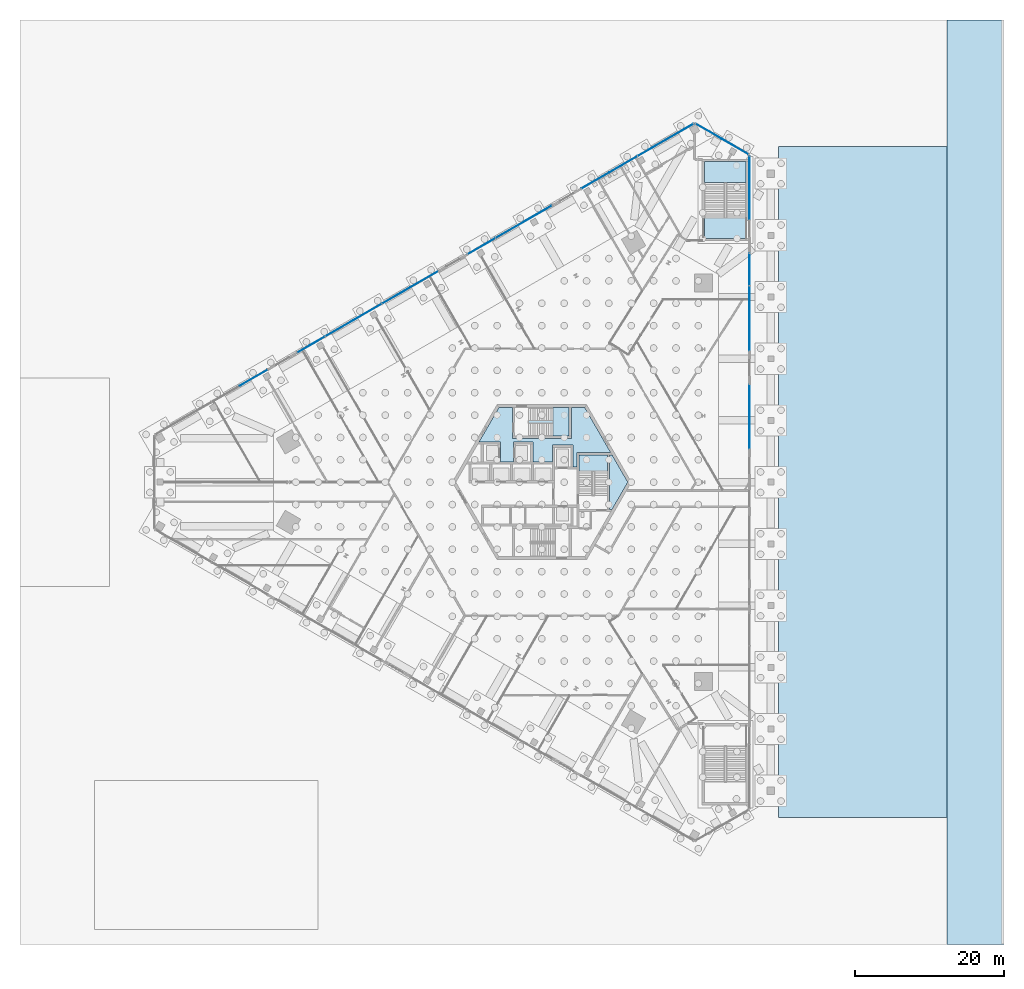
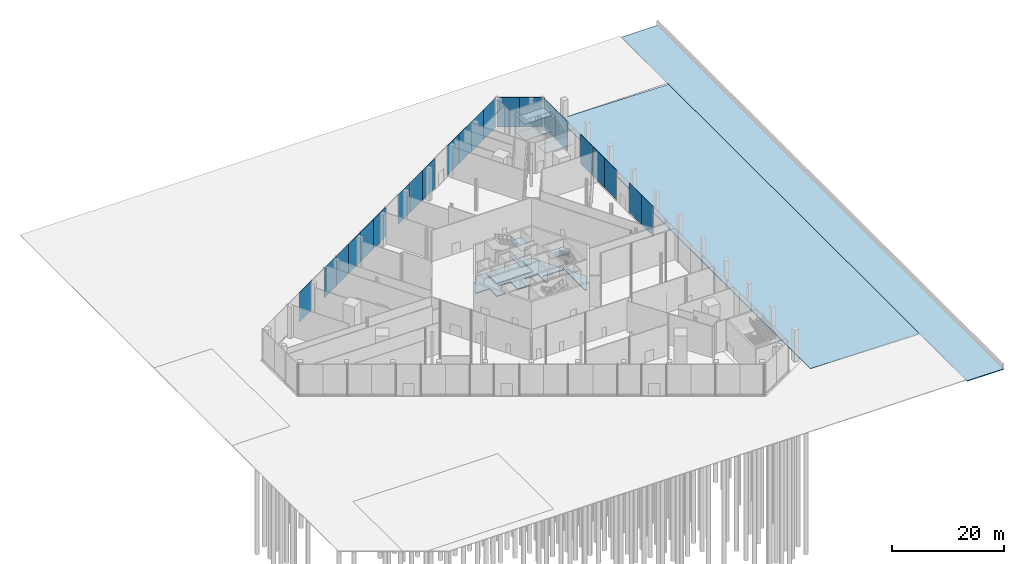
# One storey, part 15 of 27: 22 plates, 11 slabs, 11 elements without a shape of their own.
"""IFC4 building model written with IfcOpenShell, lengths in metres."""

from ifc_helpers import new_model, si_unit, direction, frame, origin, origin_2d, place, context, subcontext, project, spatial, polyline, rectangle, outline, extrude, source, transform, mapped, material, layer, layer_set, type_object, element, aggregate, save


model = new_model("IFC4")

# Units and contexts
model_context = context("Model", 3, precision=1e-05, world=origin(), true_north=direction((0.0, 1.0)))
body_context = subcontext(model_context, "Body", "Model", "MODEL_VIEW")
ifc_project = project(units=[si_unit("LENGTHUNIT", "METRE"), si_unit("AREAUNIT", "SQUARE_METRE"), si_unit("VOLUMEUNIT", "CUBIC_METRE"), si_unit("PLANEANGLEUNIT", "RADIAN"), si_unit("MASSUNIT", "GRAM", prefix="KILO")], contexts=[model_context])

# Site, building, storey
site_placement = place(None, origin())
site = spatial("IfcSite", under=ifc_project, at=site_placement, CompositionType="ELEMENT")
building_placement = place(site_placement, origin())
building = spatial("IfcBuilding", under=site, at=building_placement, Name="Triune Harvest Tower", CompositionType="ELEMENT")
storey_placement = place(building_placement, origin())
storey = spatial("IfcBuildingStorey", under=building, at=storey_placement, Name="L00", CompositionType="ELEMENT", Elevation=0.0)

# Slabs
ifc_material_1 = material(Name="Concrete 40 MPa", Category="concrete")
ifc_layer_1 = layer(ifc_material_1, 0.199951171875)
ifc_layer_set_1 = layer_set([ifc_layer_1], Name="Concrete 40 MPa")
slab_type_1 = type_object("IfcSlabType", Name="Core ground floor 200", PredefinedType="FLOOR", material=ifc_layer_set_1)
slab_1_placement = place(storey_placement, frame((0.0, 0.0, -0.199951171875)))
element("IfcSlab", 1, at=slab_1_placement, inside=storey, type_object=slab_type_1, Name="Core floor 9", PredefinedType="FLOOR", context=body_context, shape_type="SweptSolid", body=[
    extrude(outline(polyline([(9.10009765625, 3.64990234375), (9.4306640625, 3.64990234375), (11.5380859375, 0.0), (9.4306640625, -3.64990234375), (9.10009765625, -3.64990234375), (9.10009765625, 3.64990234375)])), origin(), (0.0, 0.0, 1.0), 0.199951171875),
])
slab_2_placement = place(storey_placement, frame((0.0, 0.0, -0.199951171875)))
element("IfcSlab", 2, at=slab_2_placement, inside=storey, type_object=slab_type_1, Name="Core floor 11", PredefinedType="FLOOR", context=body_context, shape_type="SweptSolid", body=[
    extrude(outline(polyline([(1.39990234375, 4.9599609375), (1.39990234375, 2.7099609375), (-1.199951171875, 2.7099609375), (-1.199951171875, 5.409912109375), (-3.800048828125, 5.409912109375), (-3.800048828125, 2.7099609375), (-5.550048828125, 2.7099609375), (-5.550048828125, 5.409912109375), (-8.41455078125, 5.409912109375), (-5.76904296875, 9.9921875), (-3.949951171875, 9.9921875), (-3.949951171875, 5.889892578125), (3.949951171875, 5.889892578125), (3.949951171875, 9.9921875), (5.76904296875, 9.9921875), (9.257568359375, 3.949951171875), (4.699951171875, 3.949951171875), (4.699951171875, 2.06005859375), (4.199951171875, 2.06005859375), (4.199951171875, 4.9599609375), (1.39990234375, 4.9599609375)])), origin(), (0.0, 0.0, 1.0), 0.199951171875),
])
slab_3_placement = place(storey_placement, frame((0.0, 0.0, -0.199951171875)))
element("IfcSlab", 3, at=slab_3_placement, inside=storey, type_object=slab_type_1, Name="Core floor 12", PredefinedType="FLOOR", context=body_context, shape_type="SweptSolid", body=[
    extrude(outline(polyline([(3.64990234375, 9.9921875), (3.64990234375, 6.18994140625), (-3.64990234375, 6.18994140625), (-3.64990234375, 9.9921875), (3.64990234375, 9.9921875)])), origin(), (0.0, 0.0, 1.0), 0.199951171875),
])
ifc_material_2 = material(Name="Stone paving", Category="masonry")
ifc_layer_2 = layer(ifc_material_2, 0.14990234375)
ifc_layer_set_2 = layer_set([ifc_layer_2], Name="Stone paving")
slab_type_2 = type_object("IfcSlabType", Name="PV-1 paving 150", PredefinedType="USERDEFINED", material=ifc_layer_set_2)
slab_4_placement = place(storey_placement, frame((0.0, 0.0, -0.449951171875)))
element("IfcSlab", 4, at=slab_4_placement, inside=storey, type_object=slab_type_2, Name="Paving promenade 1", ObjectType="PAVING", PredefinedType="USERDEFINED", context=body_context, shape_type="SweptSolid", body=[
    extrude(outline(polyline([(54.3798828125, -62.0), (62.0, -62.0), (62.0, 62.0), (54.3798828125, 62.0), (54.3798828125, -62.0)])), origin(), (0.0, 0.0, 1.0), 0.14990234375),
])
slab_5_placement = place(storey_placement, frame((31.75439453125, -45.0, 0.0), z_axis=(0.013260374464, 0.0, 0.999912077369), x_axis=(0.999912077369, 0.0, -0.013260374464)))
element("IfcSlab", 5, at=slab_5_placement, inside=storey, type_object=slab_type_2, Name="Paving plaza 1", ObjectType="PAVING", PredefinedType="USERDEFINED", context=body_context, shape_type="SweptSolid", body=[
    extrude(outline(polyline([(0.0, 0.0), (22.62747774861883, 0.0), (22.62747774861883, 90.0), (0.0, 90.0), (0.0, 0.0)])), origin(), (0.0, 0.0, -1.0), 0.14990234375),
])

# Stair, slabs
ifc_material_3 = material(Name="Concrete 40 MPa", Category="concrete")
stair_type_1 = type_object("IfcStairType", Name="Exit stair 1800 double return", PredefinedType="DOUBLE_RETURN_STAIR", material=ifc_material_3)
stair_1_placement = place(storey_placement, origin())
stair_1 = element("IfcStair", 6, at=stair_1_placement, inside=storey, type_object=stair_type_1, Name="Exit stair north", PredefinedType="DOUBLE_RETURN_STAIR")
ifc_material_4 = material(Name="Concrete 40 MPa", Category="concrete")
ifc_layer_3 = layer(ifc_material_4, 0.199951171875)
ifc_layer_set_3 = layer_set([ifc_layer_3], Name="Concrete 40 MPa")
slab_type_3 = type_object("IfcSlabType", Name="Stair landing 200", PredefinedType="LANDING", material=ifc_layer_set_3)
shared_shape_1 = source(origin(), body_context, "Body", "SweptSolid", [
    extrude(outline(polyline([(1.510009765625, 6.18994140625), (3.64990234375, 6.18994140625), (3.64990234375, 9.989990234375), (1.510009765625, 9.989990234375), (1.510009765625, 6.18994140625)])), origin(), (0.0, 0.0, 1.0), 0.199951171875),
])
slab_6_placement = place(storey_placement, frame((0.0, 0.0, 1.550048828125)))
slab_6 = element("IfcSlab", 7, at=slab_6_placement, type_object=slab_type_3, Name="ST-1 landing 1", PredefinedType="LANDING", context=body_context, shape_type="MappedRepresentation", body=[
    mapped(shared_shape_1, transform((0.0, 0.0, 0.0), scale=1.0)),
])
slab_7_placement = place(storey_placement, frame((0.0, 0.0, 5.050048828125)))
slab_7 = element("IfcSlab", 8, at=slab_7_placement, type_object=slab_type_3, Name="ST-1 landing 3", PredefinedType="LANDING", context=body_context, shape_type="MappedRepresentation", body=[
    mapped(shared_shape_1, transform((0.0, 0.0, 0.0), scale=1.0)),
])
aggregate(stair_1, [slab_6, slab_7])

# Stair, slab
stair_2_placement = place(storey_placement, origin())
stair_2 = element("IfcStair", 9, at=stair_2_placement, inside=storey, type_object=stair_type_1, Name="Exit stair east", PredefinedType="DOUBLE_RETURN_STAIR")
shared_shape_2 = source(origin(), body_context, "Body", "SweptSolid", [
    extrude(outline(polyline([(8.800048828125, 1.510009765625), (8.800048828125, 3.64990234375), (5.0, 3.64990234375), (5.0, 1.510009765625), (8.800048828125, 1.510009765625)])), origin(), (0.0, 0.0, 1.0), 0.199951171875),
])
slab_8_placement = place(storey_placement, frame((0.0, 0.0, 5.050048828125)))
slab_8 = element("IfcSlab", 10, at=slab_8_placement, type_object=slab_type_3, Name="ST-3 landing 3", PredefinedType="LANDING", context=body_context, shape_type="MappedRepresentation", body=[
    mapped(shared_shape_2, transform((0.0, 0.0, 0.0), scale=1.0)),
])
aggregate(stair_2, [slab_8])

# Stair, slabs
ifc_material_5 = material(Name="Concrete 40 MPa", Category="concrete")
stair_type_2 = type_object("IfcStairType", Name="Podium exit stair 2700 double return", PredefinedType="DOUBLE_RETURN_STAIR", material=ifc_material_5)
stair_3_placement = place(storey_placement, origin())
stair_3 = element("IfcStair", 11, at=stair_3_placement, inside=storey, type_object=stair_type_2, Name="Podium exit stair north", PredefinedType="DOUBLE_RETURN_STAIR")
shared_shape_3 = source(origin(), body_context, "Body", "SweptSolid", [
    extrude(outline(polyline([(27.419921875, 40.199951171875), (27.419921875, 43.0), (21.820068359375, 43.0), (21.820068359375, 40.199951171875), (27.419921875, 40.199951171875)])), origin(), (0.0, 0.0, 1.0), 0.199951171875),
])
slab_9_placement = place(storey_placement, frame((0.0, 0.0, 1.550048828125)))
slab_9 = element("IfcSlab", 12, at=slab_9_placement, type_object=slab_type_3, Name="PS-1 landing 1", PredefinedType="LANDING", context=body_context, shape_type="MappedRepresentation", body=[
    mapped(shared_shape_3, transform((0.0, 0.0, 0.0), scale=1.0)),
])
slab_10_placement = place(storey_placement, frame((0.0, 0.0, 5.050048828125)))
slab_10 = element("IfcSlab", 13, at=slab_10_placement, type_object=slab_type_3, Name="PS-1 landing 3", PredefinedType="LANDING", context=body_context, shape_type="MappedRepresentation", body=[
    mapped(shared_shape_3, transform((0.0, 0.0, 0.0), scale=1.0)),
])
shared_shape_4 = source(origin(), body_context, "Body", "SweptSolid", [
    extrude(outline(polyline([(27.419921875, 32.699951171875), (27.419921875, 35.409912109375), (21.820068359375, 35.409912109375), (21.820068359375, 32.699951171875), (27.419921875, 32.699951171875)])), origin(), (0.0, 0.0, 1.0), 0.199951171875),
])
slab_11_placement = place(storey_placement, frame((0.0, 0.0, 3.300048828125)))
slab_11 = element("IfcSlab", 14, at=slab_11_placement, type_object=slab_type_3, Name="PS-1 landing 2", PredefinedType="LANDING", context=body_context, shape_type="MappedRepresentation", body=[
    mapped(shared_shape_4, transform((0.0, 0.0, 0.0), scale=1.0)),
])
aggregate(stair_3, [slab_9, slab_11, slab_10])

# Curtain wall, plate
ifc_material_6 = material(Name="Aluminium bronze anodised", Category="aluminium")
curtain_wall_type = type_object("IfcCurtainWallType", Name="CW-2 Podium shopfront wall", PredefinedType="NOTDEFINED", material=ifc_material_6)
curtain_wall_1_placement = place(storey_placement, origin())
curtain_wall_1 = element("IfcCurtainWall", 15, at=curtain_wall_1_placement, inside=storey, type_object=curtain_wall_type, Name="CW-2 PD-F1 L00 run 5")
ifc_material_7 = material(Name="Glass", Category="glass")
ifc_layer_4 = layer(ifc_material_7, 0.0400390625)
ifc_layer_set_4 = layer_set([ifc_layer_4], Name="Glass")
plate_type = type_object("IfcPlateType", Name="GL-2 panel 40", PredefinedType="CURTAIN_PANEL", material=ifc_layer_set_4)
shared_shape_5 = source(origin(), body_context, "Body", "SweptSolid", [
    extrude(rectangle(XDim=4.255615234375, YDim=0.0400390625, at=origin_2d()), origin(), (0.0, 0.0, 1.0), 6.5),
])
plate_1_placement = place(storey_placement, frame((27.854248046875, 28.515869140625, 0.300048828125), z_axis=(0.0, 0.0, 1.0), x_axis=(0.0, 1.0, 0.0)))
plate_1 = element("IfcPlate", 16, at=plate_1_placement, type_object=plate_type, Name="CW-2 panel PD-F1 5.3", PredefinedType="CURTAIN_PANEL", context=body_context, shape_type="MappedRepresentation", body=[
    mapped(shared_shape_5, transform((0.0, 0.0, 0.0), scale=1.0)),
])

# Curtain wall, plates
curtain_wall_2_placement = place(storey_placement, origin())
curtain_wall_2 = element("IfcCurtainWall", 17, at=curtain_wall_2_placement, inside=storey, type_object=curtain_wall_type, Name="CW-2 PD-F1 L00 run 6")
plate_2_placement = place(storey_placement, frame((27.854248046875, 37.342041015625, 0.300048828125), z_axis=(0.0, 0.0, 1.0), x_axis=(0.0, 1.0, 0.0)))
plate_2 = element("IfcPlate", 18, at=plate_2_placement, type_object=plate_type, Name="CW-2 panel PD-F1 6.1", PredefinedType="CURTAIN_PANEL", context=body_context, shape_type="MappedRepresentation", body=[
    mapped(shared_shape_5, transform((0.0, 0.0, 0.0), scale=1.0)),
])
plate_3_placement = place(storey_placement, frame((27.854248046875, 41.597412109375, 0.300048828125), z_axis=(0.0, 0.0, 1.0), x_axis=(0.0, 1.0, 0.0)))
plate_3 = element("IfcPlate", 19, at=plate_3_placement, type_object=plate_type, Name="CW-2 panel PD-F1 6.2", PredefinedType="CURTAIN_PANEL", context=body_context, shape_type="MappedRepresentation", body=[
    mapped(shared_shape_5, transform((0.0, 0.0, 0.0), scale=1.0)),
])
aggregate(curtain_wall_2, [plate_2, plate_3])

curtain_wall_3_placement = place(storey_placement, origin())
curtain_wall_3 = element("IfcCurtainWall", 20, at=curtain_wall_3_placement, inside=storey, type_object=curtain_wall_type, Name="CW-2 PD-F1 L00 run 4")
shared_shape_6 = source(origin(), body_context, "Body", "SweptSolid", [
    extrude(rectangle(XDim=4.300537109375, YDim=0.0400390625, at=origin_2d()), origin(), (0.0, 0.0, 1.0), 6.5),
])
plate_4_placement = place(storey_placement, frame((27.854248046875, 6.630859375, 0.300048828125), z_axis=(0.0, 0.0, 1.0), x_axis=(0.0, 1.0, 0.0)))
plate_4 = element("IfcPlate", 21, at=plate_4_placement, type_object=plate_type, Name="CW-2 panel PD-F1 4.1", PredefinedType="CURTAIN_PANEL", context=body_context, shape_type="MappedRepresentation", body=[
    mapped(shared_shape_6, transform((0.0, 0.0, 0.0), scale=1.0)),
])
plate_5_placement = place(storey_placement, frame((27.854248046875, 10.931396484375, 0.300048828125), z_axis=(0.0, 0.0, 1.0), x_axis=(0.0, 1.0, 0.0)))
plate_5 = element("IfcPlate", 22, at=plate_5_placement, type_object=plate_type, Name="CW-2 panel PD-F1 4.2", PredefinedType="CURTAIN_PANEL", context=body_context, shape_type="MappedRepresentation", body=[
    mapped(shared_shape_6, transform((0.0, 0.0, 0.0), scale=1.0)),
])
aggregate(curtain_wall_3, [plate_4, plate_5])

# Plate
plate_6_placement = place(storey_placement, frame((27.854248046875, 19.80224609375, 0.300048828125), z_axis=(0.0, 0.0, 1.0), x_axis=(0.0, 1.0, 0.0)))
plate_6 = element("IfcPlate", 23, at=plate_6_placement, type_object=plate_type, Name="CW-2 panel PD-F1 5.1", PredefinedType="CURTAIN_PANEL", context=body_context, shape_type="MappedRepresentation", body=[
    mapped(shared_shape_6, transform((0.0, 0.0, 0.0), scale=1.0)),
])

shared_shape_7 = source(origin(), body_context, "Body", "SweptSolid", [
    extrude(rectangle(XDim=4.345458984375, YDim=0.0400390625, at=origin_2d()), origin(), (0.0, 0.0, 1.0), 6.5),
])
plate_7_placement = place(storey_placement, frame((27.854248046875, 24.125244140625, 0.300048828125), z_axis=(0.0, 0.0, 1.0), x_axis=(0.0, 1.0, 0.0)))
plate_7 = element("IfcPlate", 24, at=plate_7_placement, type_object=plate_type, Name="CW-2 panel PD-F1 5.2", PredefinedType="CURTAIN_PANEL", context=body_context, shape_type="MappedRepresentation", body=[
    mapped(shared_shape_7, transform((0.0, 0.0, 0.0), scale=1.0)),
])

aggregate(curtain_wall_1, [plate_6, plate_7, plate_1])

# Curtain wall, plates
curtain_wall_4_placement = place(storey_placement, origin())
curtain_wall_4 = element("IfcCurtainWall", 25, at=curtain_wall_4_placement, inside=storey, type_object=curtain_wall_type, Name="CW-2 PD-F2 L00 run 1")
shared_shape_8 = source(origin(), body_context, "Body", "SweptSolid", [
    extrude(rectangle(XDim=4.068359375, YDim=0.0400390625, at=origin_2d()), origin(), (0.0, 0.0, 1.0), 6.5),
])
plate_8_placement = place(storey_placement, frame((25.936767578125, 45.01220703125, 0.300048828125), z_axis=(0.0, 0.0, 1.0), x_axis=(-0.86602409002, 0.5000022755, 0.0)))
plate_8 = element("IfcPlate", 26, at=plate_8_placement, type_object=plate_type, Name="CW-2 panel PD-F2 1.1", PredefinedType="CURTAIN_PANEL", context=body_context, shape_type="MappedRepresentation", body=[
    mapped(shared_shape_8, transform((0.0, 0.0, 0.0), scale=1.0)),
])
plate_9_placement = place(storey_placement, frame((22.413330078125, 47.04638671875, 0.300048828125), z_axis=(0.0, 0.0, 1.0), x_axis=(-0.86602409002, 0.5000022755, 0.0)))
plate_9 = element("IfcPlate", 27, at=plate_9_placement, type_object=plate_type, Name="CW-2 panel PD-F2 1.2", PredefinedType="CURTAIN_PANEL", context=body_context, shape_type="MappedRepresentation", body=[
    mapped(shared_shape_8, transform((0.0, 0.0, 0.0), scale=1.0)),
])
aggregate(curtain_wall_4, [plate_8, plate_9])

curtain_wall_5_placement = place(storey_placement, origin())
curtain_wall_5 = element("IfcCurtainWall", 28, at=curtain_wall_5_placement, inside=storey, type_object=curtain_wall_type, Name="CW-2 PD-F3 L00 run 1")
shared_shape_9 = source(origin(), body_context, "Body", "SweptSolid", [
    extrude(rectangle(XDim=4.290283203125, YDim=0.0400390625, at=origin_2d()), origin(), (0.0, 0.0, 1.0), 6.5),
])
plate_10_placement = place(storey_placement, frame((18.482177734375, 46.990966796875, 0.300048828125), z_axis=(0.0, 0.0, 1.0), x_axis=(-0.866025276122, -0.500000221117, 0.0)))
plate_10 = element("IfcPlate", 29, at=plate_10_placement, type_object=plate_type, Name="CW-2 panel PD-F3 1.1", PredefinedType="CURTAIN_PANEL", context=body_context, shape_type="MappedRepresentation", body=[
    mapped(shared_shape_9, transform((0.0, 0.0, 0.0), scale=1.0)),
])
plate_11_placement = place(storey_placement, frame((7.1796875, 40.465576171875, 0.300048828125), z_axis=(0.0, 0.0, 1.0), x_axis=(-0.866025276122, -0.500000221117, 0.0)))
plate_11 = element("IfcPlate", 30, at=plate_11_placement, type_object=plate_type, Name="CW-2 panel PD-F3 1.4", PredefinedType="CURTAIN_PANEL", context=body_context, shape_type="MappedRepresentation", body=[
    mapped(shared_shape_9, transform((0.0, 0.0, 0.0), scale=1.0)),
])

# Curtain wall, plate
curtain_wall_6_placement = place(storey_placement, origin())
curtain_wall_6 = element("IfcCurtainWall", 31, at=curtain_wall_6_placement, inside=storey, type_object=curtain_wall_type, Name="CW-2 PD-F3 L00 run 4")
plate_12_placement = place(storey_placement, frame((-38.634033203125, 14.014892578125, 0.300048828125), z_axis=(0.0, 0.0, 1.0), x_axis=(-0.866025276122, -0.500000221117, 0.0)))
plate_12 = element("IfcPlate", 32, at=plate_12_placement, type_object=plate_type, Name="CW-2 panel PD-F3 4.1", PredefinedType="CURTAIN_PANEL", context=body_context, shape_type="MappedRepresentation", body=[
    mapped(shared_shape_9, transform((0.0, 0.0, 0.0), scale=1.0)),
])
aggregate(curtain_wall_6, [plate_12])

# Plate
shared_shape_10 = source(origin(), body_context, "Body", "SweptSolid", [
    extrude(rectangle(XDim=4.335205078125, YDim=0.0400390625, at=origin_2d()), origin(), (0.0, 0.0, 1.0), 6.5),
])
plate_13_placement = place(storey_placement, frame((14.747314453125, 44.834716796875, 0.300048828125), z_axis=(0.0, 0.0, 1.0), x_axis=(-0.866025276122, -0.500000221117, 0.0)))
plate_13 = element("IfcPlate", 33, at=plate_13_placement, type_object=plate_type, Name="CW-2 panel PD-F3 1.2", PredefinedType="CURTAIN_PANEL", context=body_context, shape_type="MappedRepresentation", body=[
    mapped(shared_shape_10, transform((0.0, 0.0, 0.0), scale=1.0)),
])

plate_14_placement = place(storey_placement, frame((10.914794921875, 42.6220703125, 0.300048828125), z_axis=(0.0, 0.0, 1.0), x_axis=(-0.866025276122, -0.500000221117, 0.0)))
plate_14 = element("IfcPlate", 34, at=plate_14_placement, type_object=plate_type, Name="CW-2 panel PD-F3 1.3", PredefinedType="CURTAIN_PANEL", context=body_context, shape_type="MappedRepresentation", body=[
    mapped(shared_shape_10, transform((0.0, 0.0, 0.0), scale=1.0)),
])

aggregate(curtain_wall_5, [plate_10, plate_13, plate_14, plate_11])

# Curtain wall, plate
curtain_wall_7_placement = place(storey_placement, origin())
curtain_wall_7 = element("IfcCurtainWall", 35, at=curtain_wall_7_placement, inside=storey, type_object=curtain_wall_type, Name="CW-2 PD-F3 L00 run 2")
shared_shape_11 = source(origin(), body_context, "Body", "SweptSolid", [
    extrude(rectangle(XDim=4.312744140625, YDim=0.0400390625, at=origin_2d()), origin(), (0.0, 0.0, 1.0), 6.5),
])
plate_15_placement = place(storey_placement, frame((-0.514404296875, 36.0234375, 0.300048828125), z_axis=(0.0, 0.0, 1.0), x_axis=(-0.866025276122, -0.500000221117, 0.0)))
plate_15 = element("IfcPlate", 36, at=plate_15_placement, type_object=plate_type, Name="CW-2 panel PD-F3 2.1", PredefinedType="CURTAIN_PANEL", context=body_context, shape_type="MappedRepresentation", body=[
    mapped(shared_shape_11, transform((0.0, 0.0, 0.0), scale=1.0)),
])

curtain_wall_8_placement = place(storey_placement, origin())
curtain_wall_8 = element("IfcCurtainWall", 37, at=curtain_wall_8_placement, inside=storey, type_object=curtain_wall_type, Name="CW-2 PD-F3 L00 run 3")
plate_16_placement = place(storey_placement, frame((-15.76611328125, 27.2177734375, 0.300048828125), z_axis=(0.0, 0.0, 1.0), x_axis=(-0.866025276122, -0.500000221117, 0.0)))
plate_16 = element("IfcPlate", 38, at=plate_16_placement, type_object=plate_type, Name="CW-2 panel PD-F3 3.1", PredefinedType="CURTAIN_PANEL", context=body_context, shape_type="MappedRepresentation", body=[
    mapped(shared_shape_11, transform((0.0, 0.0, 0.0), scale=1.0)),
])

# Plate
shared_shape_12 = source(origin(), body_context, "Body", "SweptSolid", [
    extrude(rectangle(XDim=4.35791015625, YDim=0.0400390625, at=origin_2d()), origin(), (0.0, 0.0, 1.0), 6.5),
])
plate_17_placement = place(storey_placement, frame((-4.268798828125, 33.855712890625, 0.300048828125), z_axis=(0.0, 0.0, 1.0), x_axis=(-0.866025276122, -0.500000221117, 0.0)))
plate_17 = element("IfcPlate", 39, at=plate_17_placement, type_object=plate_type, Name="CW-2 panel PD-F3 2.2", PredefinedType="CURTAIN_PANEL", context=body_context, shape_type="MappedRepresentation", body=[
    mapped(shared_shape_12, transform((0.0, 0.0, 0.0), scale=1.0)),
])

plate_18_placement = place(storey_placement, frame((-19.5205078125, 25.050048828125, 0.300048828125), z_axis=(0.0, 0.0, 1.0), x_axis=(-0.866025276122, -0.500000221117, 0.0)))
plate_18 = element("IfcPlate", 40, at=plate_18_placement, type_object=plate_type, Name="CW-2 panel PD-F3 3.2", PredefinedType="CURTAIN_PANEL", context=body_context, shape_type="MappedRepresentation", body=[
    mapped(shared_shape_12, transform((0.0, 0.0, 0.0), scale=1.0)),
])

plate_19_placement = place(storey_placement, frame((-23.37255859375, 22.826171875, 0.300048828125), z_axis=(0.0, 0.0, 1.0), x_axis=(-0.866025276122, -0.500000221117, 0.0)))
plate_19 = element("IfcPlate", 41, at=plate_19_placement, type_object=plate_type, Name="CW-2 panel PD-F3 3.3", PredefinedType="CURTAIN_PANEL", context=body_context, shape_type="MappedRepresentation", body=[
    mapped(shared_shape_12, transform((0.0, 0.0, 0.0), scale=1.0)),
])

plate_20_placement = place(storey_placement, frame((-27.146484375, 20.647216796875, 0.300048828125), z_axis=(0.0, 0.0, 1.0), x_axis=(-0.866025276122, -0.500000221117, 0.0)))
plate_20 = element("IfcPlate", 42, at=plate_20_placement, type_object=plate_type, Name="CW-2 panel PD-F3 3.4", PredefinedType="CURTAIN_PANEL", context=body_context, shape_type="MappedRepresentation", body=[
    mapped(shared_shape_12, transform((0.0, 0.0, 0.0), scale=1.0)),
])

shared_shape_13 = source(origin(), body_context, "Body", "SweptSolid", [
    extrude(rectangle(XDim=4.267822265625, YDim=0.0400390625, at=origin_2d()), origin(), (0.0, 0.0, 1.0), 6.5),
])
plate_21_placement = place(storey_placement, frame((-8.081787109375, 31.654296875, 0.300048828125), z_axis=(0.0, 0.0, 1.0), x_axis=(-0.866025276122, -0.500000221117, 0.0)))
plate_21 = element("IfcPlate", 43, at=plate_21_placement, type_object=plate_type, Name="CW-2 panel PD-F3 2.3", PredefinedType="CURTAIN_PANEL", context=body_context, shape_type="MappedRepresentation", body=[
    mapped(shared_shape_13, transform((0.0, 0.0, 0.0), scale=1.0)),
])

aggregate(curtain_wall_7, [plate_15, plate_17, plate_21])

plate_22_placement = place(storey_placement, frame((-30.95947265625, 18.44580078125, 0.300048828125), z_axis=(0.0, 0.0, 1.0), x_axis=(-0.866025276122, -0.500000221117, 0.0)))
plate_22 = element("IfcPlate", 44, at=plate_22_placement, type_object=plate_type, Name="CW-2 panel PD-F3 3.5", PredefinedType="CURTAIN_PANEL", context=body_context, shape_type="MappedRepresentation", body=[
    mapped(shared_shape_13, transform((0.0, 0.0, 0.0), scale=1.0)),
])

aggregate(curtain_wall_8, [plate_16, plate_18, plate_19, plate_20, plate_22])

save(model, "model.ifc")
